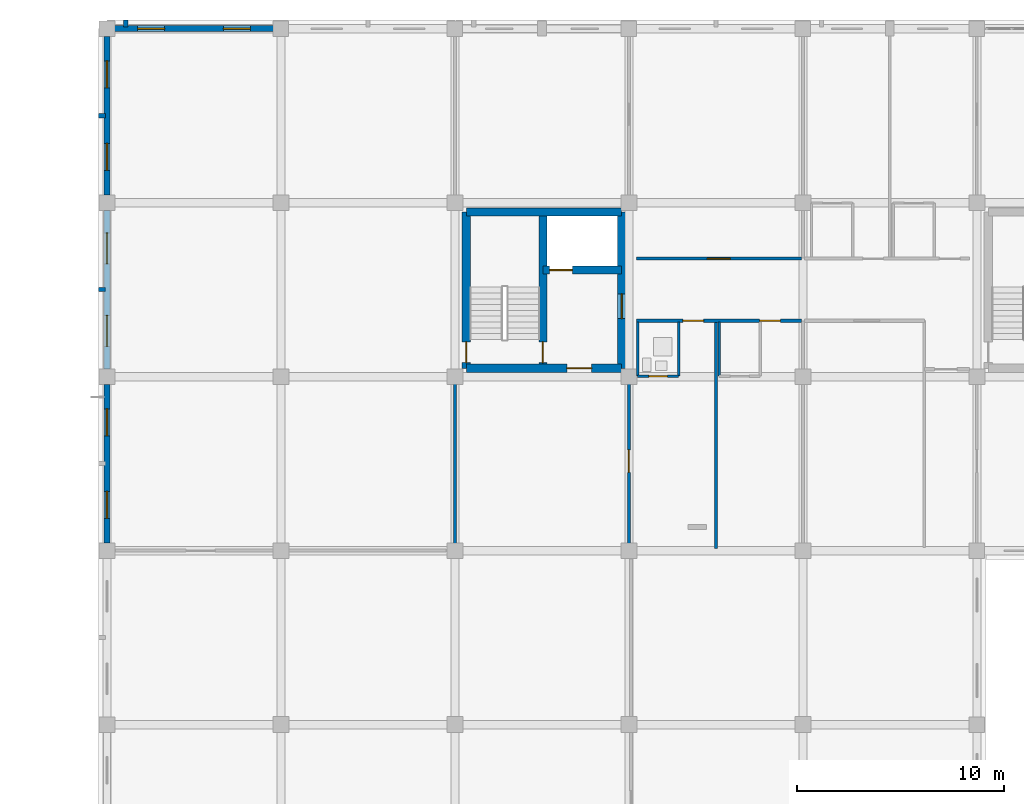
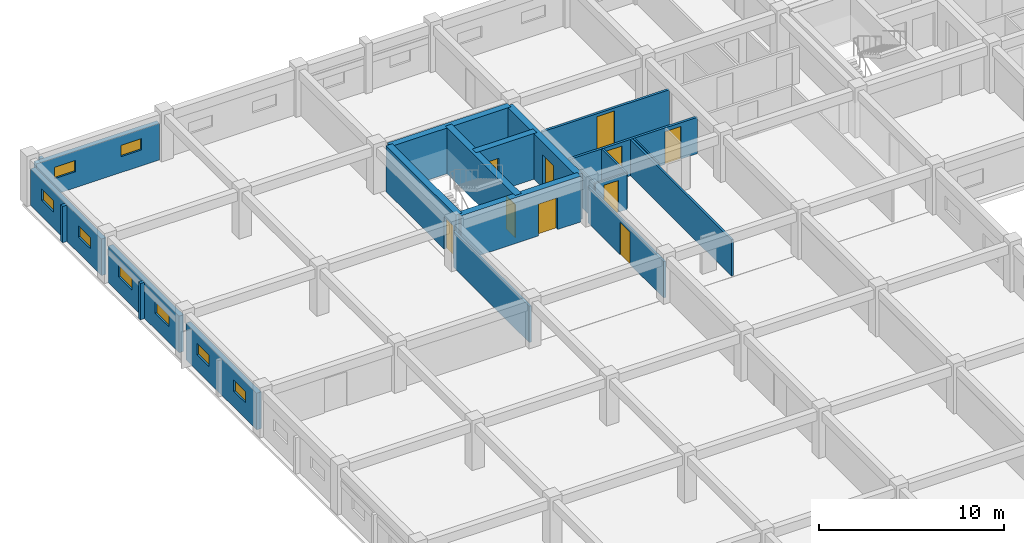
# One storey, part 173 of 200: 22 walls, 10 doors, 8 windows, 18 openings.
"""IFC4 building model written with IfcOpenShell, lengths in metres."""

from ifc_helpers import new_model, si_unit, direction, frame, frame_2d, origin, place, context, subcontext, project, spatial, rectangle, extrude, material, layer, layer_set, type_object, element, fill, save


model = new_model("IFC4")

# Units and contexts
model_context = context("Model", 3, precision=1e-05, world=origin(), true_north=direction((0.0, 1.0)))
body_context = subcontext(model_context, "Body", "Model", "MODEL_VIEW")
ifc_project = project(units=[si_unit("LENGTHUNIT", "METRE"), si_unit("AREAUNIT", "SQUARE_METRE"), si_unit("VOLUMEUNIT", "CUBIC_METRE"), si_unit("PLANEANGLEUNIT", "RADIAN"), si_unit("MASSUNIT", "GRAM", prefix="KILO")], contexts=[model_context])

# Site, building, storey
site_placement = place(None, origin())
site = spatial("IfcSite", under=ifc_project, at=site_placement, CompositionType="ELEMENT")
building_placement = place(site_placement, origin())
building = spatial("IfcBuilding", under=site, at=building_placement, Name="Trelvath General Hospital", CompositionType="ELEMENT")
storey_placement = place(building_placement, frame((0.0, 0.0, 4.800048828125)))
storey = spatial("IfcBuildingStorey", under=building, at=storey_placement, Name="L01", CompositionType="ELEMENT", Elevation=4.800048828125)

# Walls
ifc_material_1 = material(Name="Precast concrete C40/50", Category="concrete")
ifc_layer_1 = layer(ifc_material_1, 0.199951171875)
ifc_layer_set_1 = layer_set([ifc_layer_1], Name="Precast concrete C40/50")
wall_type_1 = type_object("IfcWallType", Name="BriseSoleilRib 200", PredefinedType="ELEMENTEDWALL", material=ifc_layer_set_1)
wall_1_placement = place(storey_placement, frame((-0.074951171875, 105.0, 0.0), z_axis=(0.0, 0.0, 1.0), x_axis=(-1.0, 0.0, 0.0)))
element("IfcWall", 1, at=wall_1_placement, inside=storey, type_object=wall_type_1, Name="Precast Concrete Brise-Soleil Rib Fin L01-82", PredefinedType="ELEMENTEDWALL", context=body_context, shape_type="SweptSolid", body=[
    extrude(rectangle(XDim=0.340087890625, YDim=0.199951171875, at=frame_2d((0.169921875, 0.0))), origin(), (0.0, 0.0, 1.0), 2.39990234375),
])
wall_2_placement = place(storey_placement, frame((0.90625, 117.675048828125, 0.0), z_axis=(0.0, 0.0, 1.0), x_axis=(0.0, 1.0, 0.0)))
element("IfcWall", 2, at=wall_2_placement, inside=storey, type_object=wall_type_1, Name="Precast Concrete Brise-Soleil Rib Fin L01-83", PredefinedType="ELEMENTEDWALL", context=body_context, shape_type="SweptSolid", body=[
    extrude(rectangle(XDim=0.33984375, YDim=0.199951171875, at=frame_2d((0.169921875, 0.0))), origin(), (0.0, 0.0, 1.0), 2.39990234375),
])
wall_3_placement = place(storey_placement, frame((-0.074951171875, 113.39990234375, 0.0), z_axis=(0.0, 0.0, 1.0), x_axis=(-1.0, 0.0, 0.0)))
element("IfcWall", 3, at=wall_3_placement, inside=storey, type_object=wall_type_1, Name="Precast Concrete Brise-Soleil Rib Fin L01-84", PredefinedType="ELEMENTEDWALL", context=body_context, shape_type="SweptSolid", body=[
    extrude(rectangle(XDim=0.340087890625, YDim=0.199951171875, at=frame_2d((0.169921875, 0.0))), origin(), (0.0, 0.0, 1.0), 2.39990234375),
])

# Wall, openings, doors
ifc_material_2 = material(Name="Gypsum acoustic steel-stud partition", Category="steel")
ifc_layer_2 = layer(ifc_material_2, 0.14990234375)
ifc_layer_set_2 = layer_set([ifc_layer_2], Name="Gypsum acoustic steel-stud partition")
wall_type_2 = type_object("IfcWallType", Name="ClinicalPartition 150", PredefinedType="PARTITIONING", material=ifc_layer_set_2)
wall_4_placement = place(storey_placement, frame((25.56005859375, 103.5, 0.0), z_axis=(0.0, 0.0, 1.0), x_axis=(1.0, 0.0, 0.0)))
wall_4 = element("IfcWall", 4, at=wall_4_placement, inside=storey, type_object=wall_type_2, Name="Corridor Partition L01-512", PredefinedType="PARTITIONING", context=body_context, shape_type="SweptSolid", body=[
    extrude(rectangle(XDim=7.9599609375, YDim=0.14990234375, at=frame_2d((3.97998046875, 0.0))), origin(), (0.0, 0.0, 1.0), 2.39990234375),
])
opening_1_placement = place(wall_4_placement, frame((2.25, 0.0, 0.0)))
opening_1 = element("IfcOpeningElement", 5, at=opening_1_placement, cuts=wall_4, Name="Opening D-1-0539", PredefinedType="OPENING", context=body_context, shape_type="SweptSolid", body=[
    extrude(rectangle(XDim=1.0, YDim=2.14990234375, at=frame_2d((0.5, 1.074951171875))), frame((0.0, 0.0849609375, 0.0), z_axis=(0.0, -1.0, 0.0), x_axis=(1.0, 0.0, 0.0)), (0.0, 0.0, 1.0), 0.169921875),
])
opening_2_placement = place(wall_4_placement, frame((5.949951171875, 0.0, 0.0)))
opening_2 = element("IfcOpeningElement", 6, at=opening_2_placement, cuts=wall_4, Name="Opening D-1-0540", PredefinedType="OPENING", context=body_context, shape_type="SweptSolid", body=[
    extrude(rectangle(XDim=1.0, YDim=2.14990234375, at=frame_2d((0.5, 1.074951171875))), frame((0.0, 0.0849609375, 0.0), z_axis=(0.0, -1.0, 0.0), x_axis=(1.0, 0.0, 0.0)), (0.0, 0.0, 1.0), 0.169921875),
])
ifc_material_3 = material(Name="Acoustic hospital timber leaf", Category="wood")
door_type_1 = type_object("IfcDoorType", Name="Door Consult 1000x2150", OperationType="NOTDEFINED", PredefinedType="DOOR", material=ifc_material_3)
door_1_placement = place(opening_1_placement, origin())
door_1 = element("IfcDoor", 7, at=door_1_placement, inside=storey, type_object=door_type_1, Name="Patient Room Door L01-539", OperationType="SINGLE_SWING_RIGHT", OverallHeight=2.14990234375, OverallWidth=1.0, PredefinedType="DOOR", context=body_context, shape_type="SweptSolid", body=[
    extrude(rectangle(XDim=1.0, YDim=2.14990234375, at=frame_2d((0.5, 1.074951171875))), frame((0.0, 0.02490234375, 0.0), z_axis=(0.0, -1.0, 0.0), x_axis=(1.0, 0.0, 0.0)), (0.0, 0.0, 1.0), 0.050048828125),
])
fill(opening_1, door_1)
door_2_placement = place(opening_2_placement, origin())
door_2 = element("IfcDoor", 8, at=door_2_placement, inside=storey, type_object=door_type_1, Name="Patient Room Door L01-540", OperationType="SINGLE_SWING_LEFT", OverallHeight=2.14990234375, OverallWidth=1.0, PredefinedType="DOOR", context=body_context, shape_type="SweptSolid", body=[
    extrude(rectangle(XDim=1.0, YDim=2.14990234375, at=frame_2d((0.5, 1.074951171875))), frame((0.0, 0.02490234375, 0.0), z_axis=(0.0, -1.0, 0.0), x_axis=(1.0, 0.0, 0.0)), (0.0, 0.0, 1.0), 0.050048828125),
])
fill(opening_2, door_2)

# Wall, opening, door
wall_5_placement = place(storey_placement, frame((33.52001953125, 106.5, 0.0), z_axis=(0.0, 0.0, 1.0), x_axis=(-1.0, 0.0, 0.0)))
wall_5 = element("IfcWall", 9, at=wall_5_placement, inside=storey, type_object=wall_type_2, Name="Corridor Partition N L01-521", PredefinedType="PARTITIONING", context=body_context, shape_type="SweptSolid", body=[
    extrude(rectangle(XDim=7.9599609375, YDim=0.14990234375, at=frame_2d((3.97998046875, 0.0))), origin(), (0.0, 0.0, 1.0), 2.39990234375),
])
opening_3_placement = place(wall_5_placement, frame((3.429931640625, 0.0, 0.0)))
opening_3 = element("IfcOpeningElement", 10, at=opening_3_placement, cuts=wall_5, Name="Opening D-1-0543", PredefinedType="OPENING", context=body_context, shape_type="SweptSolid", body=[
    extrude(rectangle(XDim=1.10009765625, YDim=2.199951171875, at=frame_2d((0.550048828125, 1.10009765625))), frame((0.0, 0.0849609375, 0.0), z_axis=(0.0, -1.0, 0.0), x_axis=(1.0, 0.0, 0.0)), (0.0, 0.0, 1.0), 0.169921875),
])
ifc_material_4 = material(Name="Phenolic laboratory door")
door_type_2 = type_object("IfcDoorType", Name="Door Lab 1100x2200", OperationType="NOTDEFINED", PredefinedType="DOOR", material=ifc_material_4)
door_3_placement = place(opening_3_placement, origin())
door_3 = element("IfcDoor", 11, at=door_3_placement, inside=storey, type_object=door_type_2, Name="Clinical Room Door L01-543", OperationType="SINGLE_SWING_RIGHT", OverallHeight=2.199951171875, OverallWidth=1.10009765625, PredefinedType="DOOR", context=body_context, shape_type="SweptSolid", body=[
    extrude(rectangle(XDim=1.10009765625, YDim=2.199951171875, at=frame_2d((0.550048828125, 1.10009765625))), frame((0.0, 0.02490234375, 0.0), z_axis=(0.0, -1.0, 0.0), x_axis=(1.0, 0.0, 0.0)), (0.0, 0.0, 1.0), 0.050048828125),
])
fill(opening_3, door_3)

ifc_material_5 = material(Name="Concrete C40/50", Category="concrete")
ifc_layer_3 = layer(ifc_material_5, 0.39990234375)
ifc_layer_set_3 = layer_set([ifc_layer_3], Name="Concrete C40/50")
wall_type_3 = type_object("IfcWallType", Name="CoreShearWall 400", PredefinedType="SHEAR", material=ifc_layer_set_3)
wall_6_placement = place(storey_placement, frame((17.35009765625, 101.199951171875, 0.0), z_axis=(0.0, 0.0, 1.0), x_axis=(1.0, 0.0, 0.0)))
wall_6 = element("IfcWall", 12, at=wall_6_placement, inside=storey, type_object=wall_type_3, Name="Core Shear Wall C3 S L01", PredefinedType="SHEAR", context=body_context, shape_type="SweptSolid", body=[
    extrude(rectangle(XDim=7.5, YDim=0.39990234375, at=frame_2d((3.75, 0.0))), origin(), (0.0, 0.0, 1.0), 3.02001953125),
])
opening_4_placement = place(wall_6_placement, frame((4.85009765625, 0.0, 0.0)))
opening_4 = element("IfcOpeningElement", 13, at=opening_4_placement, cuts=wall_6, Name="Opening FD-LS31", PredefinedType="OPENING", context=body_context, shape_type="SweptSolid", body=[
    extrude(rectangle(XDim=1.199951171875, YDim=2.10009765625, at=frame_2d((0.60009765625, 1.050048828125))), frame((0.0, 0.2099609375, 0.0), z_axis=(0.0, -1.0, 0.0), x_axis=(1.0, 0.0, 0.0)), (0.0, 0.0, 1.0), 0.419921875),
])
ifc_material_6 = material(Name="Fire-rated steel door", Category="steel")
door_type_3 = type_object("IfcDoorType", Name="Door FireLobby 1200x2100", OperationType="NOTDEFINED", PredefinedType="DOOR", material=ifc_material_6)
door_4_placement = place(opening_4_placement, origin())
door_4 = element("IfcDoor", 14, at=door_4_placement, inside=storey, type_object=door_type_3, Name="Fire Lobby South Door C3 L01", OperationType="SINGLE_SWING_LEFT", OverallHeight=2.10009765625, OverallWidth=1.199951171875, PredefinedType="DOOR", context=body_context, shape_type="SweptSolid", body=[
    extrude(rectangle(XDim=1.199951171875, YDim=2.10009765625, at=frame_2d((0.60009765625, 1.050048828125))), frame((0.0, 0.02490234375, 0.0), z_axis=(0.0, -1.0, 0.0), x_axis=(1.0, 0.0, 0.0)), (0.0, 0.0, 1.0), 0.050048828125),
])
fill(opening_4, door_4)

# Wall
wall_7_placement = place(storey_placement, frame((17.35009765625, 108.75, 0.0), z_axis=(0.0, 0.0, 1.0), x_axis=(1.0, 0.0, 0.0)))
element("IfcWall", 15, at=wall_7_placement, inside=storey, type_object=wall_type_3, Name="Core Shear Wall C3 N L01", PredefinedType="SHEAR", context=body_context, shape_type="SweptSolid", body=[
    extrude(rectangle(XDim=7.5, YDim=0.39990234375, at=frame_2d((3.75, 0.0))), origin(), (0.0, 0.0, 1.0), 3.02001953125),
])

# Wall, opening, door
wall_8_placement = place(storey_placement, frame((17.35009765625, 101.199951171875, 0.0), z_axis=(0.0, 0.0, 1.0), x_axis=(0.0, 1.0, 0.0)))
wall_8 = element("IfcWall", 16, at=wall_8_placement, inside=storey, type_object=wall_type_3, Name="Core Shear Wall C3 W L01", PredefinedType="SHEAR", context=body_context, shape_type="SweptSolid", body=[
    extrude(rectangle(XDim=7.550048828125, YDim=0.39990234375, at=frame_2d((3.77490234375, 0.0))), origin(), (0.0, 0.0, 1.0), 3.02001953125),
])
opening_5_placement = place(wall_8_placement, frame((0.280029296875, 0.0, 0.0)))
opening_5 = element("IfcOpeningElement", 17, at=opening_5_placement, cuts=wall_8, Name="Opening FD-SW31", PredefinedType="OPENING", context=body_context, shape_type="SweptSolid", body=[
    extrude(rectangle(XDim=1.0, YDim=2.14990234375, at=frame_2d((0.5, 1.074951171875))), frame((0.0, 0.2099609375, 0.0), z_axis=(0.0, -1.0, 0.0), x_axis=(1.0, 0.0, 0.0)), (0.0, 0.0, 1.0), 0.419921875),
])
ifc_material_7 = material(Name="Fire-rated steel door", Category="steel")
door_type_4 = type_object("IfcDoorType", Name="Door FireStair 1100x2150", OperationType="NOTDEFINED", PredefinedType="DOOR", material=ifc_material_7)
door_5_placement = place(opening_5_placement, origin())
door_5 = element("IfcDoor", 18, at=door_5_placement, inside=storey, type_object=door_type_4, Name="West Corridor Stair Door ST3 L01", OperationType="SINGLE_SWING_RIGHT", OverallHeight=2.14990234375, OverallWidth=1.0, PredefinedType="DOOR", context=body_context, shape_type="SweptSolid", body=[
    extrude(rectangle(XDim=1.0, YDim=2.14990234375, at=frame_2d((0.5, 1.074951171875))), frame((0.0, 0.02490234375, 0.0), z_axis=(0.0, -1.0, 0.0), x_axis=(1.0, 0.0, 0.0)), (0.0, 0.0, 1.0), 0.050048828125),
])
fill(opening_5, door_5)

wall_9_placement = place(storey_placement, frame((24.85009765625, 101.199951171875, 0.0), z_axis=(0.0, 0.0, 1.0), x_axis=(0.0, 1.0, 0.0)))
wall_9 = element("IfcWall", 19, at=wall_9_placement, inside=storey, type_object=wall_type_3, Name="Core Shear Wall C3 E L01", PredefinedType="SHEAR", context=body_context, shape_type="SweptSolid", body=[
    extrude(rectangle(XDim=7.550048828125, YDim=0.39990234375, at=frame_2d((3.77490234375, 0.0))), origin(), (0.0, 0.0, 1.0), 3.02001953125),
])
opening_6_placement = place(wall_9_placement, frame((2.39990234375, 0.0, 0.0)))
opening_6 = element("IfcOpeningElement", 20, at=opening_6_placement, cuts=wall_9, Name="Opening FD-LE31", PredefinedType="OPENING", context=body_context, shape_type="SweptSolid", body=[
    extrude(rectangle(XDim=1.199951171875, YDim=2.199951171875, at=frame_2d((0.60009765625, 1.10009765625))), frame((0.0, 0.2099609375, 0.0), z_axis=(0.0, -1.0, 0.0), x_axis=(1.0, 0.0, 0.0)), (0.0, 0.0, 1.0), 0.419921875),
])
ifc_material_8 = material(Name="Fire-rated steel door", Category="steel")
door_type_5 = type_object("IfcDoorType", Name="Door FireLobby 1200x2200", OperationType="NOTDEFINED", PredefinedType="DOOR", material=ifc_material_8)
door_6_placement = place(opening_6_placement, origin())
door_6 = element("IfcDoor", 21, at=door_6_placement, inside=storey, type_object=door_type_5, Name="Fire Lobby East Corridor Door C3 L01", OperationType="SINGLE_SWING_RIGHT", OverallHeight=2.199951171875, OverallWidth=1.199951171875, PredefinedType="DOOR", context=body_context, shape_type="SweptSolid", body=[
    extrude(rectangle(XDim=1.199951171875, YDim=2.199951171875, at=frame_2d((0.60009765625, 1.10009765625))), frame((0.0, 0.02490234375, 0.0), z_axis=(0.0, -1.0, 0.0), x_axis=(1.0, 0.0, 0.0)), (0.0, 0.0, 1.0), 0.050048828125),
])
fill(opening_6, door_6)

wall_10_placement = place(storey_placement, frame((21.050048828125, 101.199951171875, 0.0), z_axis=(0.0, 0.0, 1.0), x_axis=(0.0, 1.0, 0.0)))
wall_10 = element("IfcWall", 22, at=wall_10_placement, inside=storey, type_object=wall_type_3, Name="Core Shear Wall C3 SPINE L01", PredefinedType="SHEAR", context=body_context, shape_type="SweptSolid", body=[
    extrude(rectangle(XDim=7.550048828125, YDim=0.39990234375, at=frame_2d((3.77490234375, 0.0))), origin(), (0.0, 0.0, 1.0), 3.02001953125),
])
opening_7_placement = place(wall_10_placement, frame((0.280029296875, 0.0, 0.0)))
opening_7 = element("IfcOpeningElement", 23, at=opening_7_placement, cuts=wall_10, Name="Opening FD-S31", PredefinedType="OPENING", context=body_context, shape_type="SweptSolid", body=[
    extrude(rectangle(XDim=1.0, YDim=2.14990234375, at=frame_2d((0.5, 1.074951171875))), frame((0.0, 0.2099609375, 0.0), z_axis=(0.0, -1.0, 0.0), x_axis=(1.0, 0.0, 0.0)), (0.0, 0.0, 1.0), 0.419921875),
])
door_7_placement = place(opening_7_placement, origin())
door_7 = element("IfcDoor", 24, at=door_7_placement, inside=storey, type_object=door_type_4, Name="Exit Stair Door ST3 L01", OperationType="SINGLE_SWING_LEFT", OverallHeight=2.14990234375, OverallWidth=1.0, PredefinedType="DOOR", context=body_context, shape_type="SweptSolid", body=[
    extrude(rectangle(XDim=1.0, YDim=2.14990234375, at=frame_2d((0.5, 1.074951171875))), frame((0.0, 0.02490234375, 0.0), z_axis=(0.0, -1.0, 0.0), x_axis=(1.0, 0.0, 0.0)), (0.0, 0.0, 1.0), 0.050048828125),
])
fill(opening_7, door_7)

wall_11_placement = place(storey_placement, frame((21.050048828125, 105.949951171875, 0.0), z_axis=(0.0, 0.0, 1.0), x_axis=(1.0, 0.0, 0.0)))
wall_11 = element("IfcWall", 25, at=wall_11_placement, inside=storey, type_object=wall_type_3, Name="Core Shear Wall C3 SHAFT L01", PredefinedType="SHEAR", context=body_context, shape_type="SweptSolid", body=[
    extrude(rectangle(XDim=3.800048828125, YDim=0.39990234375, at=frame_2d((1.89990234375, 0.0))), origin(), (0.0, 0.0, 1.0), 3.02001953125),
])
opening_8_placement = place(wall_11_placement, frame((0.320068359375, 0.0, 0.0)))
opening_8 = element("IfcOpeningElement", 26, at=opening_8_placement, cuts=wall_11, Name="Opening LD-CL1-1", PredefinedType="OPENING", context=body_context, shape_type="SweptSolid", body=[
    extrude(rectangle(XDim=1.10009765625, YDim=2.14990234375, at=frame_2d((0.550048828125, 1.074951171875))), frame((0.0, 0.2099609375, 0.0), z_axis=(0.0, -1.0, 0.0), x_axis=(1.0, 0.0, 0.0)), (0.0, 0.0, 1.0), 0.419921875),
])
ifc_material_9 = material(Name="Stainless steel lift landing sliding door", Category="steel")
door_type_6 = type_object("IfcDoorType", Name="Door LiftLanding 1100x2150", OperationType="SLIDING_TO_LEFT", PredefinedType="DOOR", material=ifc_material_9)
door_8_placement = place(opening_8_placement, origin())
door_8 = element("IfcDoor", 27, at=door_8_placement, inside=storey, type_object=door_type_6, Name="Lift Landing Sliding Door LF-CL1 L01", OperationType="SLIDING_TO_LEFT", OverallHeight=2.14990234375, OverallWidth=1.10009765625, PredefinedType="DOOR", context=body_context, shape_type="SweptSolid", body=[
    extrude(rectangle(XDim=1.10009765625, YDim=2.14990234375, at=frame_2d((0.550048828125, 1.074951171875))), frame((0.0, 0.02490234375, 0.0), z_axis=(0.0, -1.0, 0.0), x_axis=(1.0, 0.0, 0.0)), (0.0, 0.0, 1.0), 0.050048828125),
])
fill(opening_8, door_8)

# Walls
ifc_material_10 = material(Name="Moisture-resistant tile partition")
ifc_layer_4 = layer(ifc_material_10, 0.110107421875)
ifc_layer_set_4 = layer_set([ifc_layer_4], Name="Moisture-resistant tile partition")
wall_type_4 = type_object("IfcWallType", Name="EnSuiteWetWall 110", PredefinedType="PARTITIONING", material=ifc_layer_set_4)
for number, where, z_axis, x_axis, name in (
    (28, (25.6201171875, 100.820068359375, 0.0), (0.0, 0.0, 1.0), (0.0, 1.0, 0.0), "En-Suite W Wall L01-514"),
    (29, (27.60009765625, 100.820068359375, 0.0), (0.0, 0.0, 1.0), (0.0, 1.0, 0.0), "En-Suite E Wall L01-515"),
):
    element("IfcWall", number, at=place(storey_placement, frame(where, z_axis=z_axis, x_axis=x_axis)), inside=storey, type_object=wall_type_4, Name=name, PredefinedType="PARTITIONING", context=body_context, shape_type="SweptSolid", body=[
        extrude(rectangle(XDim=2.60986328125, YDim=0.110107421875, at=frame_2d((1.304931640625, 0.0))), origin(), (0.0, 0.0, 1.0), 2.39990234375),
    ])

# Wall, opening, door
wall_12_placement = place(storey_placement, frame((25.6201171875, 100.820068359375, 0.0), z_axis=(0.0, 0.0, 1.0), x_axis=(1.0, 0.0, 0.0)))
wall_12 = element("IfcWall", 30, at=wall_12_placement, inside=storey, type_object=wall_type_4, Name="En-Suite Bathroom Partition L01-516", PredefinedType="PARTITIONING", context=body_context, shape_type="SweptSolid", body=[
    extrude(rectangle(XDim=1.97998046875, YDim=0.110107421875, at=frame_2d((0.989990234375, 0.0))), origin(), (0.0, 0.0, 1.0), 2.39990234375),
])
opening_9_placement = place(wall_12_placement, frame((0.5400390625, 0.0, 0.0)))
opening_9 = element("IfcOpeningElement", 31, at=opening_9_placement, cuts=wall_12, Name="Opening D-1-0541", PredefinedType="OPENING", context=body_context, shape_type="SweptSolid", body=[
    extrude(rectangle(XDim=0.89990234375, YDim=2.10009765625, at=frame_2d((0.449951171875, 1.050048828125))), frame((0.0, 0.06494140625, 0.0), z_axis=(0.0, -1.0, 0.0), x_axis=(1.0, 0.0, 0.0)), (0.0, 0.0, 1.0), 0.130126953125),
])
ifc_material_11 = material(Name="Moisture-sealed timber leaf", Category="wood")
door_type_7 = type_object("IfcDoorType", Name="Door EnSuite 900x2100", OperationType="NOTDEFINED", PredefinedType="DOOR", material=ifc_material_11)
door_9_placement = place(opening_9_placement, origin())
door_9 = element("IfcDoor", 32, at=door_9_placement, inside=storey, type_object=door_type_7, Name="En-Suite Bathroom Door L01-541", OperationType="SINGLE_SWING_RIGHT", OverallHeight=2.10009765625, OverallWidth=0.89990234375, PredefinedType="DOOR", context=body_context, shape_type="SweptSolid", body=[
    extrude(rectangle(XDim=0.89990234375, YDim=2.10009765625, at=frame_2d((0.449951171875, 1.050048828125))), frame((0.0, 0.02490234375, 0.0), z_axis=(0.0, -1.0, 0.0), x_axis=(1.0, 0.0, 0.0)), (0.0, 0.0, 1.0), 0.050048828125),
])
fill(opening_9, door_9)

# Wall
wall_13_placement = place(storey_placement, frame((29.56005859375, 100.820068359375, 0.0), z_axis=(0.0, 0.0, 1.0), x_axis=(0.0, 1.0, 0.0)))
element("IfcWall", 33, at=wall_13_placement, inside=storey, type_object=wall_type_4, Name="En-Suite W Wall L01-517", PredefinedType="PARTITIONING", context=body_context, shape_type="SweptSolid", body=[
    extrude(rectangle(XDim=2.60986328125, YDim=0.110107421875, at=frame_2d((1.304931640625, 0.0))), origin(), (0.0, 0.0, 1.0), 2.39990234375),
])

# Wall, openings, windows
ifc_material_12 = material(Name="Concrete C35/45", Category="concrete")
ifc_layer_5 = layer(ifc_material_12, 0.2900390625)
ifc_layer_set_5 = layer_set([ifc_layer_5], Name="Concrete C35/45")
wall_type_5 = type_object("IfcWallType", Name="ExtBushHammeredWall 290", PredefinedType="SOLIDWALL", material=ifc_layer_set_5)
wall_14_placement = place(storey_placement, frame((0.0, 92.77001953125, 0.0), z_axis=(0.0, 0.0, 1.0), x_axis=(0.0, 1.0, 0.0)))
wall_14 = element("IfcWall", 34, at=wall_14_placement, inside=storey, type_object=wall_type_5, Name="Exterior Concrete Wall L01-120", PredefinedType="SOLIDWALL", context=body_context, shape_type="SweptSolid", body=[
    extrude(rectangle(XDim=7.659912109375, YDim=0.2900390625, at=frame_2d((3.830078125, 0.0))), origin(), (0.0, 0.0, 1.0), 2.419921875),
])
opening_10_placement = place(wall_14_placement, frame((1.1884765625, 0.0, 1.050048828125)))
opening_10 = element("IfcOpeningElement", 35, at=opening_10_placement, cuts=wall_14, Name="Opening WN-1-169", PredefinedType="OPENING", context=body_context, shape_type="SweptSolid", body=[
    extrude(rectangle(XDim=1.300048828125, YDim=0.75, at=frame_2d((0.64990234375, 0.375))), frame((0.0, 0.155029296875, 0.0), z_axis=(0.0, -1.0, 0.0), x_axis=(1.0, 0.0, 0.0)), (0.0, 0.0, 1.0), 0.31005859375),
])
opening_11_placement = place(wall_14_placement, frame((5.171630859375, 0.0, 1.050048828125)))
opening_11 = element("IfcOpeningElement", 36, at=opening_11_placement, cuts=wall_14, Name="Opening WN-1-170", PredefinedType="OPENING", context=body_context, shape_type="SweptSolid", body=[
    extrude(rectangle(XDim=1.300048828125, YDim=0.75, at=frame_2d((0.64990234375, 0.375))), frame((0.0, 0.155029296875, 0.0), z_axis=(0.0, -1.0, 0.0), x_axis=(1.0, 0.0, 0.0)), (0.0, 0.0, 1.0), 0.31005859375),
])
ifc_material_13 = material(Name="Low-E laminated glass", Category="glass")
window_type_1 = type_object("IfcWindowType", Name="Window InterstitialVent 1300x750", PartitioningType="DOUBLE_PANEL_HORIZONTAL", PredefinedType="WINDOW", material=ifc_material_13)
window_1_placement = place(opening_10_placement, origin())
window_1 = element("IfcWindow", 37, at=window_1_placement, inside=storey, type_object=window_type_1, Name="Solar Reveal Window L01-169", OverallHeight=0.75, OverallWidth=1.300048828125, PartitioningType="SINGLE_PANEL", PredefinedType="WINDOW", context=body_context, shape_type="SweptSolid", body=[
    extrude(rectangle(XDim=1.300048828125, YDim=0.75, at=frame_2d((0.64990234375, 0.375))), frame((0.0, 0.030029296875, 0.0), z_axis=(0.0, -1.0, 0.0), x_axis=(1.0, 0.0, 0.0)), (0.0, 0.0, 1.0), 0.06005859375),
])
fill(opening_10, window_1)
window_2_placement = place(opening_11_placement, origin())
window_2 = element("IfcWindow", 38, at=window_2_placement, inside=storey, type_object=window_type_1, Name="Solar Reveal Window L01-170", OverallHeight=0.75, OverallWidth=1.300048828125, PartitioningType="SINGLE_PANEL", PredefinedType="WINDOW", context=body_context, shape_type="SweptSolid", body=[
    extrude(rectangle(XDim=1.300048828125, YDim=0.75, at=frame_2d((0.64990234375, 0.375))), frame((0.0, 0.030029296875, 0.0), z_axis=(0.0, -1.0, 0.0), x_axis=(1.0, 0.0, 0.0)), (0.0, 0.0, 1.0), 0.06005859375),
])
fill(opening_11, window_2)

wall_15_placement = place(storey_placement, frame((0.0, 101.169921875, 0.0), z_axis=(0.0, 0.0, 1.0), x_axis=(0.0, 1.0, 0.0)))
wall_15 = element("IfcWall", 39, at=wall_15_placement, inside=storey, type_object=wall_type_5, Name="Exterior Concrete Wall L01-121", PredefinedType="SOLIDWALL", context=body_context, shape_type="SweptSolid", body=[
    extrude(rectangle(XDim=7.66015625, YDim=0.2900390625, at=frame_2d((3.830078125, 0.0))), origin(), (0.0, 0.0, 1.0), 2.419921875),
])
opening_12_placement = place(wall_15_placement, frame((1.08837890625, 0.0, 1.050048828125)))
opening_12 = element("IfcOpeningElement", 40, at=opening_12_placement, cuts=wall_15, Name="Opening WN-1-171", PredefinedType="OPENING", context=body_context, shape_type="SweptSolid", body=[
    extrude(rectangle(XDim=1.5, YDim=0.75, at=frame_2d((0.75, 0.375))), frame((0.0, 0.155029296875, 0.0), z_axis=(0.0, -1.0, 0.0), x_axis=(1.0, 0.0, 0.0)), (0.0, 0.0, 1.0), 0.31005859375),
])
opening_13_placement = place(wall_15_placement, frame((5.071533203125, 0.0, 1.050048828125)))
opening_13 = element("IfcOpeningElement", 41, at=opening_13_placement, cuts=wall_15, Name="Opening WN-1-172", PredefinedType="OPENING", context=body_context, shape_type="SweptSolid", body=[
    extrude(rectangle(XDim=1.5, YDim=0.75, at=frame_2d((0.75, 0.375))), frame((0.0, 0.155029296875, 0.0), z_axis=(0.0, -1.0, 0.0), x_axis=(1.0, 0.0, 0.0)), (0.0, 0.0, 1.0), 0.31005859375),
])
ifc_material_14 = material(Name="Low-E laminated glass", Category="glass")
window_type_2 = type_object("IfcWindowType", Name="Window InterstitialVent 1500x750", PartitioningType="DOUBLE_PANEL_HORIZONTAL", PredefinedType="WINDOW", material=ifc_material_14)
window_3_placement = place(opening_12_placement, origin())
window_3 = element("IfcWindow", 42, at=window_3_placement, inside=storey, type_object=window_type_2, Name="Solar Reveal Window L01-171", OverallHeight=0.75, OverallWidth=1.5, PartitioningType="SINGLE_PANEL", PredefinedType="WINDOW", context=body_context, shape_type="SweptSolid", body=[
    extrude(rectangle(XDim=1.5, YDim=0.75, at=frame_2d((0.75, 0.375))), frame((0.0, 0.030029296875, 0.0), z_axis=(0.0, -1.0, 0.0), x_axis=(1.0, 0.0, 0.0)), (0.0, 0.0, 1.0), 0.06005859375),
])
fill(opening_12, window_3)
window_4_placement = place(opening_13_placement, origin())
window_4 = element("IfcWindow", 43, at=window_4_placement, inside=storey, type_object=window_type_2, Name="Solar Reveal Window L01-172", OverallHeight=0.75, OverallWidth=1.5, PartitioningType="SINGLE_PANEL", PredefinedType="WINDOW", context=body_context, shape_type="SweptSolid", body=[
    extrude(rectangle(XDim=1.5, YDim=0.75, at=frame_2d((0.75, 0.375))), frame((0.0, 0.030029296875, 0.0), z_axis=(0.0, -1.0, 0.0), x_axis=(1.0, 0.0, 0.0)), (0.0, 0.0, 1.0), 0.06005859375),
])
fill(opening_13, window_4)

wall_16_placement = place(storey_placement, frame((0.3701171875, 117.60009765625, 0.0), z_axis=(0.0, 0.0, 1.0), x_axis=(1.0, 0.0, 0.0)))
wall_16 = element("IfcWall", 44, at=wall_16_placement, inside=storey, type_object=wall_type_5, Name="Exterior Concrete Wall L01-122", PredefinedType="SOLIDWALL", context=body_context, shape_type="SweptSolid", body=[
    extrude(rectangle(XDim=7.659912109375, YDim=0.2900390625, at=frame_2d((3.830078125, 0.0))), origin(), (0.0, 0.0, 1.0), 2.419921875),
])
opening_14_placement = place(wall_16_placement, frame((1.11181640625, 0.0, 1.050048828125)))
opening_14 = element("IfcOpeningElement", 45, at=opening_14_placement, cuts=wall_16, Name="Opening WN-1-173", PredefinedType="OPENING", context=body_context, shape_type="SweptSolid", body=[
    extrude(rectangle(XDim=1.300048828125, YDim=0.75, at=frame_2d((0.64990234375, 0.375))), frame((0.0, 0.155029296875, 0.0), z_axis=(0.0, -1.0, 0.0), x_axis=(1.0, 0.0, 0.0)), (0.0, 0.0, 1.0), 0.31005859375),
])
opening_15_placement = place(wall_16_placement, frame((5.248291015625, 0.0, 1.050048828125)))
opening_15 = element("IfcOpeningElement", 46, at=opening_15_placement, cuts=wall_16, Name="Opening WN-1-174", PredefinedType="OPENING", context=body_context, shape_type="SweptSolid", body=[
    extrude(rectangle(XDim=1.300048828125, YDim=0.75, at=frame_2d((0.64990234375, 0.375))), frame((0.0, 0.155029296875, 0.0), z_axis=(0.0, -1.0, 0.0), x_axis=(1.0, 0.0, 0.0)), (0.0, 0.0, 1.0), 0.31005859375),
])
window_5_placement = place(opening_14_placement, origin())
window_5 = element("IfcWindow", 47, at=window_5_placement, inside=storey, type_object=window_type_1, Name="Solar Reveal Window L01-173", OverallHeight=0.75, OverallWidth=1.300048828125, PartitioningType="SINGLE_PANEL", PredefinedType="WINDOW", context=body_context, shape_type="SweptSolid", body=[
    extrude(rectangle(XDim=1.300048828125, YDim=0.75, at=frame_2d((0.64990234375, 0.375))), frame((0.0, 0.030029296875, 0.0), z_axis=(0.0, -1.0, 0.0), x_axis=(1.0, 0.0, 0.0)), (0.0, 0.0, 1.0), 0.06005859375),
])
fill(opening_14, window_5)
window_6_placement = place(opening_15_placement, origin())
window_6 = element("IfcWindow", 48, at=window_6_placement, inside=storey, type_object=window_type_1, Name="Solar Reveal Window L01-174", OverallHeight=0.75, OverallWidth=1.300048828125, PartitioningType="SINGLE_PANEL", PredefinedType="WINDOW", context=body_context, shape_type="SweptSolid", body=[
    extrude(rectangle(XDim=1.300048828125, YDim=0.75, at=frame_2d((0.64990234375, 0.375))), frame((0.0, 0.030029296875, 0.0), z_axis=(0.0, -1.0, 0.0), x_axis=(1.0, 0.0, 0.0)), (0.0, 0.0, 1.0), 0.06005859375),
])
fill(opening_15, window_6)

wall_17_placement = place(storey_placement, frame((0.0, 109.570068359375, 0.0), z_axis=(0.0, 0.0, 1.0), x_axis=(0.0, 1.0, 0.0)))
wall_17 = element("IfcWall", 49, at=wall_17_placement, inside=storey, type_object=wall_type_5, Name="Exterior Concrete Wall L01-123", PredefinedType="SOLIDWALL", context=body_context, shape_type="SweptSolid", body=[
    extrude(rectangle(XDim=7.659912109375, YDim=0.2900390625, at=frame_2d((3.830078125, 0.0))), origin(), (0.0, 0.0, 1.0), 2.419921875),
])
opening_16_placement = place(wall_17_placement, frame((1.1884765625, 0.0, 1.050048828125)))
opening_16 = element("IfcOpeningElement", 50, at=opening_16_placement, cuts=wall_17, Name="Opening WN-1-175", PredefinedType="OPENING", context=body_context, shape_type="SweptSolid", body=[
    extrude(rectangle(XDim=1.300048828125, YDim=0.75, at=frame_2d((0.64990234375, 0.375))), frame((0.0, 0.155029296875, 0.0), z_axis=(0.0, -1.0, 0.0), x_axis=(1.0, 0.0, 0.0)), (0.0, 0.0, 1.0), 0.31005859375),
])
opening_17_placement = place(wall_17_placement, frame((5.171630859375, 0.0, 1.050048828125)))
opening_17 = element("IfcOpeningElement", 51, at=opening_17_placement, cuts=wall_17, Name="Opening WN-1-176", PredefinedType="OPENING", context=body_context, shape_type="SweptSolid", body=[
    extrude(rectangle(XDim=1.300048828125, YDim=0.75, at=frame_2d((0.64990234375, 0.375))), frame((0.0, 0.155029296875, 0.0), z_axis=(0.0, -1.0, 0.0), x_axis=(1.0, 0.0, 0.0)), (0.0, 0.0, 1.0), 0.31005859375),
])
window_7_placement = place(opening_16_placement, origin())
window_7 = element("IfcWindow", 52, at=window_7_placement, inside=storey, type_object=window_type_1, Name="Solar Reveal Window L01-175", OverallHeight=0.75, OverallWidth=1.300048828125, PartitioningType="SINGLE_PANEL", PredefinedType="WINDOW", context=body_context, shape_type="SweptSolid", body=[
    extrude(rectangle(XDim=1.300048828125, YDim=0.75, at=frame_2d((0.64990234375, 0.375))), frame((0.0, 0.030029296875, 0.0), z_axis=(0.0, -1.0, 0.0), x_axis=(1.0, 0.0, 0.0)), (0.0, 0.0, 1.0), 0.06005859375),
])
fill(opening_16, window_7)
window_8_placement = place(opening_17_placement, origin())
window_8 = element("IfcWindow", 53, at=window_8_placement, inside=storey, type_object=window_type_1, Name="Solar Reveal Window L01-176", OverallHeight=0.75, OverallWidth=1.300048828125, PartitioningType="SINGLE_PANEL", PredefinedType="WINDOW", context=body_context, shape_type="SweptSolid", body=[
    extrude(rectangle(XDim=1.300048828125, YDim=0.75, at=frame_2d((0.64990234375, 0.375))), frame((0.0, 0.030029296875, 0.0), z_axis=(0.0, -1.0, 0.0), x_axis=(1.0, 0.0, 0.0)), (0.0, 0.0, 1.0), 0.06005859375),
])
fill(opening_17, window_8)

# Wall
ifc_material_15 = material(Name="Gypsum acoustic steel-stud partition", Category="steel")
ifc_layer_6 = layer(ifc_material_15, 0.1298828125)
ifc_layer_set_6 = layer_set([ifc_layer_6], Name="Gypsum acoustic steel-stud partition")
wall_type_6 = type_object("IfcWallType", Name="WardPartition 130", PredefinedType="PARTITIONING", material=ifc_layer_set_6)
wall_18_placement = place(storey_placement, frame((16.800048828125, 92.5400390625, 0.0), z_axis=(0.0, 0.0, 1.0), x_axis=(0.0, 1.0, 0.0)))
element("IfcWall", 54, at=wall_18_placement, inside=storey, type_object=wall_type_6, Name="Inter-Bay Ward Partition S L01-508", PredefinedType="PARTITIONING", context=body_context, shape_type="SweptSolid", body=[
    extrude(rectangle(XDim=8.2099609375, YDim=0.1298828125, at=frame_2d((4.10498046875, 0.0))), origin(), (0.0, 0.0, 1.0), 2.39990234375),
])

# Wall, opening, door
wall_19_placement = place(storey_placement, frame((25.199951171875, 92.5400390625, 0.0), z_axis=(0.0, 0.0, 1.0), x_axis=(0.0, 1.0, 0.0)))
wall_19 = element("IfcWall", 55, at=wall_19_placement, inside=storey, type_object=wall_type_6, Name="Inter-Bay Ward Partition S L01-510", PredefinedType="PARTITIONING", context=body_context, shape_type="SweptSolid", body=[
    extrude(rectangle(XDim=8.2099609375, YDim=0.1298828125, at=frame_2d((4.10498046875, 0.0))), origin(), (0.0, 0.0, 1.0), 2.39990234375),
])
opening_18_placement = place(wall_19_placement, frame((3.639892578125, 0.0, 0.0)))
opening_18 = element("IfcOpeningElement", 56, at=opening_18_placement, cuts=wall_19, Name="Opening D-1-0537", PredefinedType="OPENING", context=body_context, shape_type="SweptSolid", body=[
    extrude(rectangle(XDim=1.080078125, YDim=2.14990234375, at=frame_2d((0.5400390625, 1.074951171875))), frame((0.0, 0.074951171875, 0.0), z_axis=(0.0, -1.0, 0.0), x_axis=(1.0, 0.0, 0.0)), (0.0, 0.0, 1.0), 0.14990234375),
])
ifc_material_16 = material(Name="Acoustic hospital timber leaf", Category="wood")
door_type_8 = type_object("IfcDoorType", Name="Door CleanSupply 1080x2150", OperationType="NOTDEFINED", PredefinedType="DOOR", material=ifc_material_16)
door_10_placement = place(opening_18_placement, origin())
door_10 = element("IfcDoor", 57, at=door_10_placement, inside=storey, type_object=door_type_8, Name="Clean Supply Connecting Door L01-537", OperationType="SINGLE_SWING_RIGHT", OverallHeight=2.14990234375, OverallWidth=1.080078125, PredefinedType="DOOR", context=body_context, shape_type="SweptSolid", body=[
    extrude(rectangle(XDim=1.080078125, YDim=2.14990234375, at=frame_2d((0.5400390625, 1.074951171875))), frame((0.0, 0.02490234375, 0.0), z_axis=(0.0, -1.0, 0.0), x_axis=(1.0, 0.0, 0.0)), (0.0, 0.0, 1.0), 0.050048828125),
])
fill(opening_18, door_10)

# Wall
wall_20_placement = place(storey_placement, frame((29.39990234375, 92.5, 0.0), z_axis=(0.0, 0.0, 1.0), x_axis=(0.0, 1.0, 0.0)))
element("IfcWall", 58, at=wall_20_placement, inside=storey, type_object=wall_type_6, Name="Room Dividing Partition S L01-513", PredefinedType="PARTITIONING", context=body_context, shape_type="SweptSolid", body=[
    extrude(rectangle(XDim=10.929931640625, YDim=0.1298828125, at=frame_2d((5.46484375, 0.0))), origin(), (0.0, 0.0, 1.0), 2.39990234375),
])

save(model, "model.ifc")
